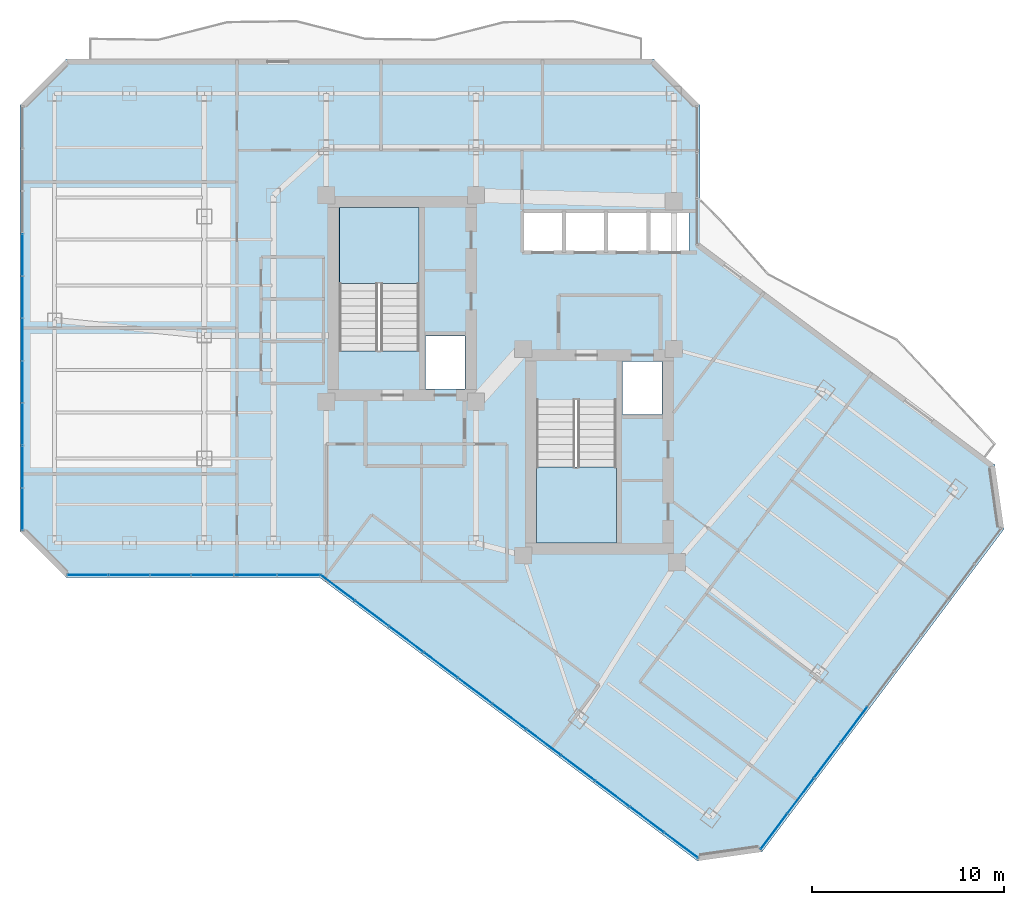
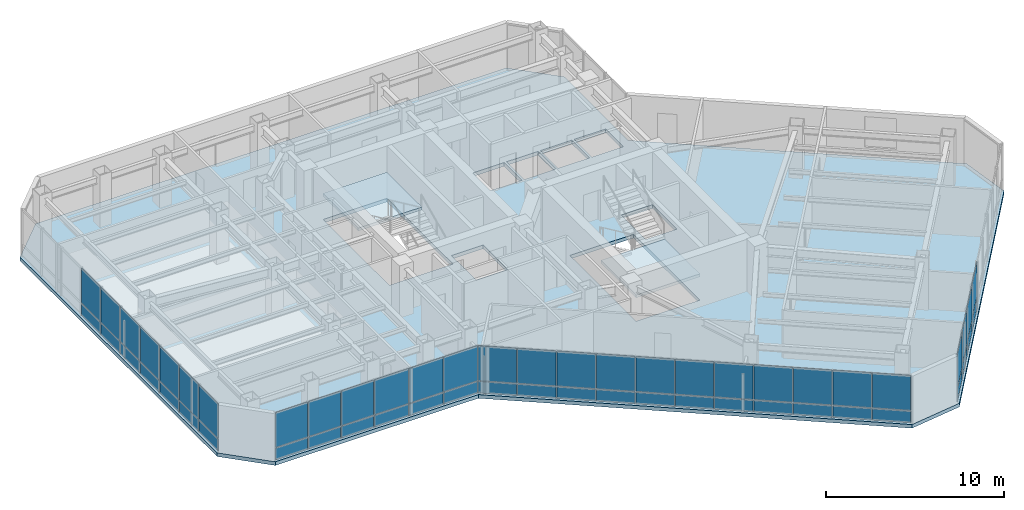
# One storey, part 23 of 29: 56 plates, 3 slabs, 7 elements without a shape of their own.
"""IFC4 building model written with IfcOpenShell, lengths in metres."""

import ifcopenshell
import ifcopenshell.guid

model = None  # the IFC model being written
_history = None  # IfcOwnerHistory: only IFC2X3 demands one
_inside = {}  # id of a spatial element -> (the spatial element, [elements in it])
_under = {}  # id of a project, library or spatial element -> (it, [spatial elements below it])
_declared = {}  # id of a project -> (the project, [libraries it declares])
_typed = {}  # id of a type object -> (the type object, [elements of that type])
_made_of = {}  # id of a material, layer set ... -> (it, [elements and type objects made of it])


def new_model(schema):
    """Start an empty IFC model of exactly this schema.

    Asked for "IFC4X3", IfcOpenShell would pick the latest addendum, in which some entities
    have other attributes; the version numbers below select the first issue.
    IFC2X3 requires an IfcOwnerHistory on every rooted entity: one is made here for all.
    """
    global model, _history
    if schema == "IFC4X3":
        model = ifcopenshell.file(schema_version=(4, 3, 0, 0))
    else:
        model = ifcopenshell.file(schema=schema)
    _inside.clear()
    _under.clear()
    _declared.clear()
    _typed.clear()
    _made_of.clear()
    _history = None
    if model.schema == "IFC2X3":
        org = make("IfcOrganization", Name="unknown")
        user = make(
            "IfcPersonAndOrganization",
            ThePerson=make("IfcPerson", FamilyName="unknown"),
            TheOrganization=org,
        )
        app = make(
            "IfcApplication",
            ApplicationDeveloper=org,
            Version="unknown",
            ApplicationFullName="unknown",
            ApplicationIdentifier="unknown",
        )
        _history = make(
            "IfcOwnerHistory",
            OwningUser=user,
            OwningApplication=app,
            ChangeAction="ADDED",
            CreationDate=0,
        )
    return model


def make(cls, **values):
    """One entity of the class cls with the attributes given. An attribute that is None is left unset."""
    return model.create_entity(
        cls, **{name: value for name, value in values.items() if value is not None}
    )


def rooted(cls, **values):
    """An entity with a GlobalId (a new one), such as an element, a storey or a relation."""
    return make(cls, GlobalId=ifcopenshell.guid.new(), OwnerHistory=_history, **values)


def si_unit(unit_type, name, prefix=None):
    """IfcSIUnit, for example si_unit("LENGTHUNIT", "METRE", prefix="MILLI")."""
    return make("IfcSIUnit", UnitType=unit_type, Prefix=prefix, Name=name)


def assignment(units):
    """IfcUnitAssignment: the units of a project."""
    return None if units is None else make("IfcUnitAssignment", Units=units)


def point(xyz):
    """IfcCartesianPoint."""
    return None if xyz is None else make("IfcCartesianPoint", Coordinates=xyz)


def direction(xyz):
    """IfcDirection."""
    return None if xyz is None else make("IfcDirection", DirectionRatios=xyz)


def frame(location, z_axis=None, x_axis=None):
    """IfcAxis2Placement3D, a coordinate frame: its origin and axes. An axis left out is left unset."""
    return make(
        "IfcAxis2Placement3D",
        Location=point(location),
        Axis=direction(z_axis),
        RefDirection=direction(x_axis),
    )


def frame_2d(location, x_axis=None):
    """IfcAxis2Placement2D, a coordinate frame in the plane: its origin and x axis."""
    return make(
        "IfcAxis2Placement2D", Location=point(location), RefDirection=direction(x_axis)
    )


def origin():
    """The frame at (0, 0, 0) with its axes left unset."""
    return frame((0.0, 0.0, 0.0))


def origin_2d():
    """The frame at (0, 0) in the plane with its x axis left unset."""
    return frame_2d((0.0, 0.0))


def place(relative_to, where):
    """IfcLocalPlacement: puts the frame where relative to a parent placement (None: the world)."""
    return make(
        "IfcLocalPlacement", PlacementRelTo=relative_to, RelativePlacement=where
    )


def context(
    kind, dimensions, precision=None, world=None, true_north=None, identifier=None
):
    """IfcGeometricRepresentationContext, for example the 3D "Model" context."""
    return make(
        "IfcGeometricRepresentationContext",
        ContextIdentifier=identifier,
        ContextType=kind,
        CoordinateSpaceDimension=dimensions,
        Precision=precision,
        WorldCoordinateSystem=world,
        TrueNorth=true_north,
    )


def subcontext(parent, identifier, kind, view, scale=None):
    """IfcGeometricRepresentationSubContext, for example "Body" below "Model"."""
    return make(
        "IfcGeometricRepresentationSubContext",
        ContextIdentifier=identifier,
        ContextType=kind,
        ParentContext=parent,
        TargetScale=scale,
        TargetView=view,
    )


def project(units=None, contexts=None):
    """IfcProject with its units and contexts."""
    return rooted(
        "IfcProject",
        Name="project",
        RepresentationContexts=contexts,
        UnitsInContext=assignment(units),
    )


def spatial(cls, under=None, at=None, **own):
    """A site, building, storey or space (cls), placed at a placement, below another one or the project."""
    s = rooted(cls, ObjectPlacement=at, **own)
    if under is not None:
        _under.setdefault(under.id(), (under, []))[1].append(s)
    return s


def polyline(points):
    """IfcPolyline through the points."""
    return make("IfcPolyline", Points=[point(p) for p in points])


def profile(cls, at=None, kind="AREA", **sizes):
    """A parametric profile (cls). Its sizes go by their IFC names, for example OverallWidth=200.0."""
    return make(cls, ProfileType=kind, Position=at, **sizes)


def rectangle(**sizes):
    """IfcRectangleProfileDef."""
    return profile("IfcRectangleProfileDef", **sizes)


def outline(outer, holes=None, kind="AREA"):
    """IfcArbitraryClosedProfileDef: a profile drawn as a closed curve; with holes, ...WithVoids."""
    if holes is None:
        return make("IfcArbitraryClosedProfileDef", ProfileType=kind, OuterCurve=outer)
    return make(
        "IfcArbitraryProfileDefWithVoids",
        ProfileType=kind,
        OuterCurve=outer,
        InnerCurves=holes,
    )


def extrude(swept, where, along, depth):
    """IfcExtrudedAreaSolid: the profile swept, set in the frame where, extruded along a direction by depth."""
    return make(
        "IfcExtrudedAreaSolid",
        SweptArea=swept,
        Position=where,
        ExtrudedDirection=direction(along),
        Depth=depth,
    )


def shape(context_of_items, identifier, shape_type, items):
    """IfcShapeRepresentation: the items that make up one representation, for example the "Body"."""
    return make(
        "IfcShapeRepresentation",
        ContextOfItems=context_of_items,
        RepresentationIdentifier=identifier,
        RepresentationType=shape_type,
        Items=items,
    )


def material(Name=None, Category=None):
    """IfcMaterial."""
    return make("IfcMaterial", Name=Name, Category=Category)


def layer(
    of_material, thickness, ventilated=None, Name=None, Category=None, Priority=None
):
    """IfcMaterialLayer: one layer of a wall or slab, of a material (None: an air gap)."""
    return make(
        "IfcMaterialLayer",
        Material=of_material,
        LayerThickness=thickness,
        IsVentilated=ventilated,
        Name=Name,
        Category=Category,
        Priority=Priority,
    )


def layer_set(layers, Name=None):
    """IfcMaterialLayerSet."""
    return make("IfcMaterialLayerSet", MaterialLayers=layers, LayerSetName=Name)


def made_of(thing, what):
    """Note that an element or type object is made of a material, layer set ...; save() writes the relation."""
    if what is not None:
        _made_of.setdefault(what.id(), (what, []))[1].append(thing)
    return thing


def type_object(cls, material=None, **own):
    """A type object (cls), such as IfcWallType, which elements share."""
    return made_of(rooted(cls, **own), material)


def element(
    cls,
    number,
    at=None,
    inside=None,
    cuts=None,
    type_object=None,
    material=None,
    context=None,
    identifier="Body",
    shape_type=None,
    held_by="IfcProductDefinitionShape",
    body=None,
    shapes=None,
    **own,
):
    """One element of the class cls, such as IfcWall. Its Tag is "e" and its number.

    at: its placement. inside: the storey or other place that contains it. cuts: it is an
    opening in that element (IfcRelVoidsElement). A single representation is given by context,
    identifier, shape_type and body (its items); several are given by shapes. held_by: the class
    of the entity that holds the representations. save() writes the other relations.
    """
    e = rooted(cls, Tag="e%d" % number, ObjectPlacement=at, **own)
    if body is not None:
        shapes = [shape(context, identifier, shape_type, body)]
    if shapes is not None:
        e.Representation = make(held_by, Representations=shapes)
    if inside is not None:
        _inside.setdefault(inside.id(), (inside, []))[1].append(e)
    if cuts is not None:
        rooted(
            "IfcRelVoidsElement", RelatingBuildingElement=cuts, RelatedOpeningElement=e
        )
    if type_object is not None:
        _typed.setdefault(type_object.id(), (type_object, []))[1].append(e)
    return made_of(e, material)


def aggregate(whole, parts):
    """IfcRelAggregates: a whole, such as a stair, and the parts it consists of."""
    return rooted("IfcRelAggregates", RelatingObject=whole, RelatedObjects=parts)


def save(model, path):
    """Write the relations noted so far, then the file.

    IfcRelAggregates (storeys below a building ...), IfcRelContainedInSpatialStructure (elements
    in a storey), IfcRelDefinesByType, IfcRelAssociatesMaterial and IfcRelDeclares: one each for
    every whole, place, type object, material and project.
    """
    for whole, parts in _under.values():
        aggregate(whole, parts)
    for where, things in _inside.values():
        rooted(
            "IfcRelContainedInSpatialStructure",
            RelatedElements=things,
            RelatingStructure=where,
        )
    for kind, things in _typed.values():
        rooted("IfcRelDefinesByType", RelatedObjects=things, RelatingType=kind)
    for what, things in _made_of.values():
        rooted("IfcRelAssociatesMaterial", RelatedObjects=things, RelatingMaterial=what)
    for by, libraries in _declared.values():
        rooted("IfcRelDeclares", RelatingContext=by, RelatedDefinitions=libraries)
    model.write(path)


model = new_model("IFC4")

# Units and contexts
model_context = context("Model", 3, precision=1e-05, world=origin(), true_north=direction((0.0, 1.0)))
body_context = subcontext(model_context, "Body", "Model", "MODEL_VIEW")
ifc_project = project(units=[si_unit("LENGTHUNIT", "METRE"), si_unit("AREAUNIT", "SQUARE_METRE"), si_unit("VOLUMEUNIT", "CUBIC_METRE"), si_unit("PLANEANGLEUNIT", "RADIAN"), si_unit("MASSUNIT", "GRAM", prefix="KILO")], contexts=[model_context])

# Site, building, storey
site_placement = place(None, origin())
site = spatial("IfcSite", under=ifc_project, at=site_placement, CompositionType="ELEMENT")
building_placement = place(site_placement, origin())
building = spatial("IfcBuilding", under=site, at=building_placement, Name="Hatsunagi Terrace Concourse", CompositionType="ELEMENT")
storey_placement = place(building_placement, frame((0.0, 0.0, 178.050048828125)))
storey = spatial("IfcBuildingStorey", under=building, at=storey_placement, Name="L47", CompositionType="ELEMENT", Elevation=178.050048828125)

# Curtain wall, plates
ifc_material_1 = material(Name="Anodised Aluminium Alloy 6063-T5", Category="aluminium")
ifc_layer_1 = layer(ifc_material_1, 0.199951171875)
ifc_layer_set_1 = layer_set([ifc_layer_1], Name="OfficeZone1_CW03")
curtain_wall_type = type_object("IfcCurtainWallType", Name="OfficeZone1_CW03", PredefinedType="NOTDEFINED", material=ifc_layer_set_1)
curtain_wall_1_placement = place(storey_placement, origin())
curtain_wall_1 = element("IfcCurtainWall", 1, at=curtain_wall_1_placement, inside=storey, type_object=curtain_wall_type, Name="Unitised Curtain Wall CW-03 CW-L47-03", PredefinedType="NOTDEFINED")
ifc_material_2 = material(Name="Warm Terracotta Ceramic Spandrel Panel", Category="masonry")
ifc_layer_2 = layer(ifc_material_2, 0.031982421875)
ifc_layer_set_2 = layer_set([ifc_layer_2], Name="CurtainWallSpandrelPanel_32")
plate_type_1 = type_object("IfcPlateType", Name="CurtainWallSpandrelPanel_32", PredefinedType="SHEET", material=ifc_layer_set_2)
plate_1_placement = place(storey_placement, frame((53.035888671875, 15.748046875, 0.030029296875), z_axis=(0.0, 0.0, 1.0), x_axis=(-0.599969314634, -0.800023013105, 0.0)))
plate_1 = element("IfcPlate", 2, at=plate_1_placement, type_object=plate_type_1, Name="Terracotta Spandrel Panel SPN-01", PredefinedType="SHEET", context=body_context, shape_type="SweptSolid", body=[
    extrude(rectangle(XDim=2.264892578125, YDim=0.031982421875, at=origin_2d()), origin(), (0.0, 0.0, 1.0), 0.7900390625),
])
plate_2_placement = place(storey_placement, frame((51.64404296875, 13.89111328125, 0.030029296875), z_axis=(0.0, 0.0, 1.0), x_axis=(-0.599969314634, -0.800023013105, 0.0)))
plate_2 = element("IfcPlate", 3, at=plate_2_placement, type_object=plate_type_1, Name="Terracotta Spandrel Panel SPN-01", PredefinedType="SHEET", context=body_context, shape_type="SweptSolid", body=[
    extrude(rectangle(XDim=2.264892578125, YDim=0.031982421875, at=origin_2d()), origin(), (0.0, 0.0, 1.0), 0.7900390625),
])
plate_3_placement = place(storey_placement, frame((50.2509765625, 12.034912109375, 0.030029296875), z_axis=(0.0, 0.0, 1.0), x_axis=(-0.599969314634, -0.800023013105, 0.0)))
plate_3 = element("IfcPlate", 4, at=plate_3_placement, type_object=plate_type_1, Name="Terracotta Spandrel Panel SPN-01", PredefinedType="SHEET", context=body_context, shape_type="SweptSolid", body=[
    extrude(rectangle(XDim=2.264892578125, YDim=0.031982421875, at=origin_2d()), origin(), (0.0, 0.0, 1.0), 0.7900390625),
])
plate_4_placement = place(storey_placement, frame((48.85888671875, 10.177978515625, 0.030029296875), z_axis=(0.0, 0.0, 1.0), x_axis=(-0.599969314634, -0.800023013105, 0.0)))
plate_4 = element("IfcPlate", 5, at=plate_4_placement, type_object=plate_type_1, Name="Terracotta Spandrel Panel SPN-01", PredefinedType="SHEET", context=body_context, shape_type="SweptSolid", body=[
    extrude(rectangle(XDim=2.264892578125, YDim=0.031982421875, at=origin_2d()), origin(), (0.0, 0.0, 1.0), 0.7900390625),
])

curtain_wall_2_placement = place(storey_placement, origin())
curtain_wall_2 = element("IfcCurtainWall", 6, at=curtain_wall_2_placement, inside=storey, type_object=curtain_wall_type, Name="Unitised Curtain Wall CW-03 CW-L47-05", PredefinedType="NOTDEFINED")
plate_5_placement = place(storey_placement, frame((44.02392578125, 9.4580078125, 0.030029296875), z_axis=(0.0, 0.0, 1.0), x_axis=(-0.800005211305, 0.599993051531, 0.0)))
plate_5 = element("IfcPlate", 7, at=plate_5_placement, type_object=plate_type_1, Name="Terracotta Spandrel Panel SPN-01", PredefinedType="SHEET", context=body_context, shape_type="SweptSolid", body=[
    extrude(rectangle(XDim=2.179931640625, YDim=0.031982421875, at=origin_2d()), origin(), (0.0, 0.0, 1.0), 0.7900390625),
])
plate_6_placement = place(storey_placement, frame((42.236083984375, 10.799072265625, 0.030029296875), z_axis=(0.0, 0.0, 1.0), x_axis=(-0.800005211305, 0.599993051531, 0.0)))
plate_6 = element("IfcPlate", 8, at=plate_6_placement, type_object=plate_type_1, Name="Terracotta Spandrel Panel SPN-01", PredefinedType="SHEET", context=body_context, shape_type="SweptSolid", body=[
    extrude(rectangle(XDim=2.179931640625, YDim=0.031982421875, at=origin_2d()), origin(), (0.0, 0.0, 1.0), 0.7900390625),
])
plate_7_placement = place(storey_placement, frame((40.447021484375, 12.139892578125, 0.030029296875), z_axis=(0.0, 0.0, 1.0), x_axis=(-0.800005211305, 0.599993051531, 0.0)))
plate_7 = element("IfcPlate", 9, at=plate_7_placement, type_object=plate_type_1, Name="Terracotta Spandrel Panel SPN-01", PredefinedType="SHEET", context=body_context, shape_type="SweptSolid", body=[
    extrude(rectangle(XDim=2.179931640625, YDim=0.031982421875, at=origin_2d()), origin(), (0.0, 0.0, 1.0), 0.7900390625),
])
plate_8_placement = place(storey_placement, frame((38.658935546875, 13.48095703125, 0.030029296875), z_axis=(0.0, 0.0, 1.0), x_axis=(-0.800005211305, 0.599993051531, 0.0)))
plate_8 = element("IfcPlate", 10, at=plate_8_placement, type_object=plate_type_1, Name="Terracotta Spandrel Panel SPN-01", PredefinedType="SHEET", context=body_context, shape_type="SweptSolid", body=[
    extrude(rectangle(XDim=2.179931640625, YDim=0.031982421875, at=origin_2d()), origin(), (0.0, 0.0, 1.0), 0.7900390625),
])
plate_9_placement = place(storey_placement, frame((36.87109375, 14.822021484375, 0.030029296875), z_axis=(0.0, 0.0, 1.0), x_axis=(-0.800005211305, 0.599993051531, 0.0)))
plate_9 = element("IfcPlate", 11, at=plate_9_placement, type_object=plate_type_1, Name="Terracotta Spandrel Panel SPN-01", PredefinedType="SHEET", context=body_context, shape_type="SweptSolid", body=[
    extrude(rectangle(XDim=2.179931640625, YDim=0.031982421875, at=origin_2d()), origin(), (0.0, 0.0, 1.0), 0.7900390625),
])
plate_10_placement = place(storey_placement, frame((35.08203125, 16.1630859375, 0.030029296875), z_axis=(0.0, 0.0, 1.0), x_axis=(-0.800005211305, 0.599993051531, 0.0)))
plate_10 = element("IfcPlate", 12, at=plate_10_placement, type_object=plate_type_1, Name="Terracotta Spandrel Panel SPN-01", PredefinedType="SHEET", context=body_context, shape_type="SweptSolid", body=[
    extrude(rectangle(XDim=2.179931640625, YDim=0.031982421875, at=origin_2d()), origin(), (0.0, 0.0, 1.0), 0.7900390625),
])
plate_11_placement = place(storey_placement, frame((33.2939453125, 17.5048828125, 0.030029296875), z_axis=(0.0, 0.0, 1.0), x_axis=(-0.800005211305, 0.599993051531, 0.0)))
plate_11 = element("IfcPlate", 13, at=plate_11_placement, type_object=plate_type_1, Name="Terracotta Spandrel Panel SPN-01", PredefinedType="SHEET", context=body_context, shape_type="SweptSolid", body=[
    extrude(rectangle(XDim=2.179931640625, YDim=0.031982421875, at=origin_2d()), origin(), (0.0, 0.0, 1.0), 0.7900390625),
])
plate_12_placement = place(storey_placement, frame((31.506103515625, 18.845947265625, 0.030029296875), z_axis=(0.0, 0.0, 1.0), x_axis=(-0.800005211305, 0.599993051531, 0.0)))
plate_12 = element("IfcPlate", 14, at=plate_12_placement, type_object=plate_type_1, Name="Terracotta Spandrel Panel SPN-01", PredefinedType="SHEET", context=body_context, shape_type="SweptSolid", body=[
    extrude(rectangle(XDim=2.179931640625, YDim=0.031982421875, at=origin_2d()), origin(), (0.0, 0.0, 1.0), 0.7900390625),
])
plate_13_placement = place(storey_placement, frame((29.718017578125, 20.18701171875, 0.030029296875), z_axis=(0.0, 0.0, 1.0), x_axis=(-0.800005211305, 0.599993051531, 0.0)))
plate_13 = element("IfcPlate", 15, at=plate_13_placement, type_object=plate_type_1, Name="Terracotta Spandrel Panel SPN-01", PredefinedType="SHEET", context=body_context, shape_type="SweptSolid", body=[
    extrude(rectangle(XDim=2.179931640625, YDim=0.031982421875, at=origin_2d()), origin(), (0.0, 0.0, 1.0), 0.7900390625),
])
plate_14_placement = place(storey_placement, frame((27.928955078125, 21.528076171875, 0.030029296875), z_axis=(0.0, 0.0, 1.0), x_axis=(-0.800005211305, 0.599993051531, 0.0)))
plate_14 = element("IfcPlate", 16, at=plate_14_placement, type_object=plate_type_1, Name="Terracotta Spandrel Panel SPN-01", PredefinedType="SHEET", context=body_context, shape_type="SweptSolid", body=[
    extrude(rectangle(XDim=2.179931640625, YDim=0.031982421875, at=origin_2d()), origin(), (0.0, 0.0, 1.0), 0.7900390625),
])
plate_15_placement = place(storey_placement, frame((26.14111328125, 22.868896484375, 0.030029296875), z_axis=(0.0, 0.0, 1.0), x_axis=(-0.800005211305, 0.599993051531, 0.0)))
plate_15 = element("IfcPlate", 17, at=plate_15_placement, type_object=plate_type_1, Name="Terracotta Spandrel Panel SPN-01", PredefinedType="SHEET", context=body_context, shape_type="SweptSolid", body=[
    extrude(rectangle(XDim=2.179931640625, YDim=0.031982421875, at=origin_2d()), origin(), (0.0, 0.0, 1.0), 0.7900390625),
])

curtain_wall_3_placement = place(storey_placement, origin())
curtain_wall_3 = element("IfcCurtainWall", 18, at=curtain_wall_3_placement, inside=storey, type_object=curtain_wall_type, Name="Unitised Curtain Wall CW-03 CW-L47-06", PredefinedType="NOTDEFINED")
plate_16_placement = place(storey_placement, frame((24.1220703125, 23.5400390625, 0.030029296875), z_axis=(0.0, 0.0, 1.0), x_axis=(-1.0, 0.0, 0.0)))
plate_16 = element("IfcPlate", 19, at=plate_16_placement, type_object=plate_type_1, Name="Terracotta Spandrel Panel SPN-01", PredefinedType="SHEET", context=body_context, shape_type="SweptSolid", body=[
    extrude(rectangle(XDim=2.194091796875, YDim=0.031982421875, at=origin_2d()), origin(), (0.0, 0.0, 1.0), 0.7900390625),
])
plate_17_placement = place(storey_placement, frame((21.873046875, 23.5400390625, 0.030029296875), z_axis=(0.0, 0.0, 1.0), x_axis=(-1.0, 0.0, 0.0)))
plate_17 = element("IfcPlate", 20, at=plate_17_placement, type_object=plate_type_1, Name="Terracotta Spandrel Panel SPN-01", PredefinedType="SHEET", context=body_context, shape_type="SweptSolid", body=[
    extrude(rectangle(XDim=2.194091796875, YDim=0.031982421875, at=origin_2d()), origin(), (0.0, 0.0, 1.0), 0.7900390625),
])
plate_18_placement = place(storey_placement, frame((19.6240234375, 23.5400390625, 0.030029296875), z_axis=(0.0, 0.0, 1.0), x_axis=(-1.0, 0.0, 0.0)))
plate_18 = element("IfcPlate", 21, at=plate_18_placement, type_object=plate_type_1, Name="Terracotta Spandrel Panel SPN-01", PredefinedType="SHEET", context=body_context, shape_type="SweptSolid", body=[
    extrude(rectangle(XDim=2.194091796875, YDim=0.031982421875, at=origin_2d()), origin(), (0.0, 0.0, 1.0), 0.7900390625),
])

curtain_wall_4_placement = place(storey_placement, origin())
curtain_wall_4 = element("IfcCurtainWall", 22, at=curtain_wall_4_placement, inside=storey, type_object=curtain_wall_type, Name="Unitised Curtain Wall CW-03 CW-L47-07", PredefinedType="NOTDEFINED")
plate_19_placement = place(storey_placement, frame((17.426025390625, 23.5400390625, 0.030029296875), z_axis=(0.0, 0.0, 1.0), x_axis=(-1.0, 0.0, 0.0)))
plate_19 = element("IfcPlate", 23, at=plate_19_placement, type_object=plate_type_1, Name="Terracotta Spandrel Panel SPN-01", PredefinedType="SHEET", context=body_context, shape_type="SweptSolid", body=[
    extrude(rectangle(XDim=2.092041015625, YDim=0.031982421875, at=origin_2d()), origin(), (0.0, 0.0, 1.0), 0.7900390625),
])
plate_20_placement = place(storey_placement, frame((15.279052734375, 23.5400390625, 0.030029296875), z_axis=(0.0, 0.0, 1.0), x_axis=(-1.0, 0.0, 0.0)))
plate_20 = element("IfcPlate", 24, at=plate_20_placement, type_object=plate_type_1, Name="Terracotta Spandrel Panel SPN-01", PredefinedType="SHEET", context=body_context, shape_type="SweptSolid", body=[
    extrude(rectangle(XDim=2.092041015625, YDim=0.031982421875, at=origin_2d()), origin(), (0.0, 0.0, 1.0), 0.7900390625),
])
plate_21_placement = place(storey_placement, frame((13.132080078125, 23.5400390625, 0.030029296875), z_axis=(0.0, 0.0, 1.0), x_axis=(-1.0, 0.0, 0.0)))
plate_21 = element("IfcPlate", 25, at=plate_21_placement, type_object=plate_type_1, Name="Terracotta Spandrel Panel SPN-01", PredefinedType="SHEET", context=body_context, shape_type="SweptSolid", body=[
    extrude(rectangle(XDim=2.092041015625, YDim=0.031982421875, at=origin_2d()), origin(), (0.0, 0.0, 1.0), 0.7900390625),
])

curtain_wall_5_placement = place(storey_placement, origin())
curtain_wall_5 = element("IfcCurtainWall", 26, at=curtain_wall_5_placement, inside=storey, type_object=curtain_wall_type, Name="Unitised Curtain Wall CW-03 CW-L47-09", PredefinedType="NOTDEFINED")
plate_22_placement = place(storey_placement, frame((9.739990234375, 26.9619140625, 0.030029296875), z_axis=(0.0, 0.0, 1.0), x_axis=(0.0, 1.0, 0.0)))
plate_22 = element("IfcPlate", 27, at=plate_22_placement, type_object=plate_type_1, Name="Terracotta Spandrel Panel SPN-01", PredefinedType="SHEET", context=body_context, shape_type="SweptSolid", body=[
    extrude(rectangle(XDim=2.153076171875, YDim=0.031982421875, at=origin_2d()), origin(), (0.0, 0.0, 1.0), 0.7900390625),
])
plate_23_placement = place(storey_placement, frame((9.739990234375, 29.1708984375, 0.030029296875), z_axis=(0.0, 0.0, 1.0), x_axis=(0.0, 1.0, 0.0)))
plate_23 = element("IfcPlate", 28, at=plate_23_placement, type_object=plate_type_1, Name="Terracotta Spandrel Panel SPN-01", PredefinedType="SHEET", context=body_context, shape_type="SweptSolid", body=[
    extrude(rectangle(XDim=2.153076171875, YDim=0.031982421875, at=origin_2d()), origin(), (0.0, 0.0, 1.0), 0.7900390625),
])
plate_24_placement = place(storey_placement, frame((9.739990234375, 31.37890625, 0.030029296875), z_axis=(0.0, 0.0, 1.0), x_axis=(0.0, 1.0, 0.0)))
plate_24 = element("IfcPlate", 29, at=plate_24_placement, type_object=plate_type_1, Name="Terracotta Spandrel Panel SPN-01", PredefinedType="SHEET", context=body_context, shape_type="SweptSolid", body=[
    extrude(rectangle(XDim=2.153076171875, YDim=0.031982421875, at=origin_2d()), origin(), (0.0, 0.0, 1.0), 0.7900390625),
])
plate_25_placement = place(storey_placement, frame((9.739990234375, 33.5869140625, 0.030029296875), z_axis=(0.0, 0.0, 1.0), x_axis=(0.0, 1.0, 0.0)))
plate_25 = element("IfcPlate", 30, at=plate_25_placement, type_object=plate_type_1, Name="Terracotta Spandrel Panel SPN-01", PredefinedType="SHEET", context=body_context, shape_type="SweptSolid", body=[
    extrude(rectangle(XDim=2.153076171875, YDim=0.031982421875, at=origin_2d()), origin(), (0.0, 0.0, 1.0), 0.7900390625),
])
plate_26_placement = place(storey_placement, frame((9.739990234375, 35.7958984375, 0.030029296875), z_axis=(0.0, 0.0, 1.0), x_axis=(0.0, 1.0, 0.0)))
plate_26 = element("IfcPlate", 31, at=plate_26_placement, type_object=plate_type_1, Name="Terracotta Spandrel Panel SPN-01", PredefinedType="SHEET", context=body_context, shape_type="SweptSolid", body=[
    extrude(rectangle(XDim=2.153076171875, YDim=0.031982421875, at=origin_2d()), origin(), (0.0, 0.0, 1.0), 0.7900390625),
])
plate_27_placement = place(storey_placement, frame((9.739990234375, 38.00390625, 0.030029296875), z_axis=(0.0, 0.0, 1.0), x_axis=(0.0, 1.0, 0.0)))
plate_27 = element("IfcPlate", 32, at=plate_27_placement, type_object=plate_type_1, Name="Terracotta Spandrel Panel SPN-01", PredefinedType="SHEET", context=body_context, shape_type="SweptSolid", body=[
    extrude(rectangle(XDim=2.153076171875, YDim=0.031982421875, at=origin_2d()), origin(), (0.0, 0.0, 1.0), 0.7900390625),
])
plate_28_placement = place(storey_placement, frame((9.739990234375, 40.212890625, 0.030029296875), z_axis=(0.0, 0.0, 1.0), x_axis=(0.0, 1.0, 0.0)))
plate_28 = element("IfcPlate", 33, at=plate_28_placement, type_object=plate_type_1, Name="Terracotta Spandrel Panel SPN-01", PredefinedType="SHEET", context=body_context, shape_type="SweptSolid", body=[
    extrude(rectangle(XDim=2.153076171875, YDim=0.031982421875, at=origin_2d()), origin(), (0.0, 0.0, 1.0), 0.7900390625),
])

# Plate
ifc_material_3 = material(Name="Low-E Double Insulating Glass 28mm", Category="glass")
ifc_layer_3 = layer(ifc_material_3, 0.028076171875)
ifc_layer_set_3 = layer_set([ifc_layer_3], Name="CurtainWallVisionGlass_28")
plate_type_2 = type_object("IfcPlateType", Name="CurtainWallVisionGlass_28", PredefinedType="CURTAIN_PANEL", material=ifc_layer_set_3)
plate_29_placement = place(storey_placement, frame((53.035888671875, 15.748046875, 0.8798828125), z_axis=(0.0, 0.0, 1.0), x_axis=(-0.599969314634, -0.800023013105, 0.0)))
plate_29 = element("IfcPlate", 34, at=plate_29_placement, type_object=plate_type_2, Name="Low-E Vision Glass Panel GLZ-01", PredefinedType="CURTAIN_PANEL", context=body_context, shape_type="SweptSolid", body=[
    extrude(rectangle(XDim=2.264892578125, YDim=0.028076171875, at=origin_2d()), origin(), (0.0, 0.0, 1.0), 2.389892578125),
])

plate_30_placement = place(storey_placement, frame((51.64404296875, 13.89111328125, 0.8798828125), z_axis=(0.0, 0.0, 1.0), x_axis=(-0.599969314634, -0.800023013105, 0.0)))
plate_30 = element("IfcPlate", 35, at=plate_30_placement, type_object=plate_type_2, Name="Low-E Vision Glass Panel GLZ-01", PredefinedType="CURTAIN_PANEL", context=body_context, shape_type="SweptSolid", body=[
    extrude(rectangle(XDim=2.264892578125, YDim=0.028076171875, at=origin_2d()), origin(), (0.0, 0.0, 1.0), 2.389892578125),
])

plate_31_placement = place(storey_placement, frame((50.2509765625, 12.034912109375, 0.8798828125), z_axis=(0.0, 0.0, 1.0), x_axis=(-0.599969314634, -0.800023013105, 0.0)))
plate_31 = element("IfcPlate", 36, at=plate_31_placement, type_object=plate_type_2, Name="Low-E Vision Glass Panel GLZ-01", PredefinedType="CURTAIN_PANEL", context=body_context, shape_type="SweptSolid", body=[
    extrude(rectangle(XDim=2.264892578125, YDim=0.028076171875, at=origin_2d()), origin(), (0.0, 0.0, 1.0), 2.389892578125),
])

plate_32_placement = place(storey_placement, frame((48.85888671875, 10.177978515625, 0.8798828125), z_axis=(0.0, 0.0, 1.0), x_axis=(-0.599969314634, -0.800023013105, 0.0)))
plate_32 = element("IfcPlate", 37, at=plate_32_placement, type_object=plate_type_2, Name="Low-E Vision Glass Panel GLZ-01", PredefinedType="CURTAIN_PANEL", context=body_context, shape_type="SweptSolid", body=[
    extrude(rectangle(XDim=2.264892578125, YDim=0.028076171875, at=origin_2d()), origin(), (0.0, 0.0, 1.0), 2.389892578125),
])

aggregate(curtain_wall_1, [plate_1, plate_29, plate_2, plate_30, plate_3, plate_31, plate_4, plate_32])

plate_33_placement = place(storey_placement, frame((44.02392578125, 9.4580078125, 0.8798828125), z_axis=(0.0, 0.0, 1.0), x_axis=(-0.800005211305, 0.599993051531, 0.0)))
plate_33 = element("IfcPlate", 38, at=plate_33_placement, type_object=plate_type_2, Name="Low-E Vision Glass Panel GLZ-01", PredefinedType="CURTAIN_PANEL", context=body_context, shape_type="SweptSolid", body=[
    extrude(rectangle(XDim=2.179931640625, YDim=0.028076171875, at=origin_2d()), origin(), (0.0, 0.0, 1.0), 2.389892578125),
])

plate_34_placement = place(storey_placement, frame((42.236083984375, 10.799072265625, 0.8798828125), z_axis=(0.0, 0.0, 1.0), x_axis=(-0.800005211305, 0.599993051531, 0.0)))
plate_34 = element("IfcPlate", 39, at=plate_34_placement, type_object=plate_type_2, Name="Low-E Vision Glass Panel GLZ-01", PredefinedType="CURTAIN_PANEL", context=body_context, shape_type="SweptSolid", body=[
    extrude(rectangle(XDim=2.179931640625, YDim=0.028076171875, at=origin_2d()), origin(), (0.0, 0.0, 1.0), 2.389892578125),
])

plate_35_placement = place(storey_placement, frame((40.447021484375, 12.139892578125, 0.8798828125), z_axis=(0.0, 0.0, 1.0), x_axis=(-0.800005211305, 0.599993051531, 0.0)))
plate_35 = element("IfcPlate", 40, at=plate_35_placement, type_object=plate_type_2, Name="Low-E Vision Glass Panel GLZ-01", PredefinedType="CURTAIN_PANEL", context=body_context, shape_type="SweptSolid", body=[
    extrude(rectangle(XDim=2.179931640625, YDim=0.028076171875, at=origin_2d()), origin(), (0.0, 0.0, 1.0), 2.389892578125),
])

plate_36_placement = place(storey_placement, frame((38.658935546875, 13.48095703125, 0.8798828125), z_axis=(0.0, 0.0, 1.0), x_axis=(-0.800005211305, 0.599993051531, 0.0)))
plate_36 = element("IfcPlate", 41, at=plate_36_placement, type_object=plate_type_2, Name="Low-E Vision Glass Panel GLZ-01", PredefinedType="CURTAIN_PANEL", context=body_context, shape_type="SweptSolid", body=[
    extrude(rectangle(XDim=2.179931640625, YDim=0.028076171875, at=origin_2d()), origin(), (0.0, 0.0, 1.0), 2.389892578125),
])

plate_37_placement = place(storey_placement, frame((36.87109375, 14.822021484375, 0.8798828125), z_axis=(0.0, 0.0, 1.0), x_axis=(-0.800005211305, 0.599993051531, 0.0)))
plate_37 = element("IfcPlate", 42, at=plate_37_placement, type_object=plate_type_2, Name="Low-E Vision Glass Panel GLZ-01", PredefinedType="CURTAIN_PANEL", context=body_context, shape_type="SweptSolid", body=[
    extrude(rectangle(XDim=2.179931640625, YDim=0.028076171875, at=origin_2d()), origin(), (0.0, 0.0, 1.0), 2.389892578125),
])

plate_38_placement = place(storey_placement, frame((35.08203125, 16.1630859375, 0.8798828125), z_axis=(0.0, 0.0, 1.0), x_axis=(-0.800005211305, 0.599993051531, 0.0)))
plate_38 = element("IfcPlate", 43, at=plate_38_placement, type_object=plate_type_2, Name="Low-E Vision Glass Panel GLZ-01", PredefinedType="CURTAIN_PANEL", context=body_context, shape_type="SweptSolid", body=[
    extrude(rectangle(XDim=2.179931640625, YDim=0.028076171875, at=origin_2d()), origin(), (0.0, 0.0, 1.0), 2.389892578125),
])

plate_39_placement = place(storey_placement, frame((33.2939453125, 17.5048828125, 0.8798828125), z_axis=(0.0, 0.0, 1.0), x_axis=(-0.800005211305, 0.599993051531, 0.0)))
plate_39 = element("IfcPlate", 44, at=plate_39_placement, type_object=plate_type_2, Name="Low-E Vision Glass Panel GLZ-01", PredefinedType="CURTAIN_PANEL", context=body_context, shape_type="SweptSolid", body=[
    extrude(rectangle(XDim=2.179931640625, YDim=0.028076171875, at=origin_2d()), origin(), (0.0, 0.0, 1.0), 2.389892578125),
])

plate_40_placement = place(storey_placement, frame((31.506103515625, 18.845947265625, 0.8798828125), z_axis=(0.0, 0.0, 1.0), x_axis=(-0.800005211305, 0.599993051531, 0.0)))
plate_40 = element("IfcPlate", 45, at=plate_40_placement, type_object=plate_type_2, Name="Low-E Vision Glass Panel GLZ-01", PredefinedType="CURTAIN_PANEL", context=body_context, shape_type="SweptSolid", body=[
    extrude(rectangle(XDim=2.179931640625, YDim=0.028076171875, at=origin_2d()), origin(), (0.0, 0.0, 1.0), 2.389892578125),
])

plate_41_placement = place(storey_placement, frame((29.718017578125, 20.18701171875, 0.8798828125), z_axis=(0.0, 0.0, 1.0), x_axis=(-0.800005211305, 0.599993051531, 0.0)))
plate_41 = element("IfcPlate", 46, at=plate_41_placement, type_object=plate_type_2, Name="Low-E Vision Glass Panel GLZ-01", PredefinedType="CURTAIN_PANEL", context=body_context, shape_type="SweptSolid", body=[
    extrude(rectangle(XDim=2.179931640625, YDim=0.028076171875, at=origin_2d()), origin(), (0.0, 0.0, 1.0), 2.389892578125),
])

plate_42_placement = place(storey_placement, frame((27.928955078125, 21.528076171875, 0.8798828125), z_axis=(0.0, 0.0, 1.0), x_axis=(-0.800005211305, 0.599993051531, 0.0)))
plate_42 = element("IfcPlate", 47, at=plate_42_placement, type_object=plate_type_2, Name="Low-E Vision Glass Panel GLZ-01", PredefinedType="CURTAIN_PANEL", context=body_context, shape_type="SweptSolid", body=[
    extrude(rectangle(XDim=2.179931640625, YDim=0.028076171875, at=origin_2d()), origin(), (0.0, 0.0, 1.0), 2.389892578125),
])

plate_43_placement = place(storey_placement, frame((26.14111328125, 22.868896484375, 0.8798828125), z_axis=(0.0, 0.0, 1.0), x_axis=(-0.800005211305, 0.599993051531, 0.0)))
plate_43 = element("IfcPlate", 48, at=plate_43_placement, type_object=plate_type_2, Name="Low-E Vision Glass Panel GLZ-01", PredefinedType="CURTAIN_PANEL", context=body_context, shape_type="SweptSolid", body=[
    extrude(rectangle(XDim=2.179931640625, YDim=0.028076171875, at=origin_2d()), origin(), (0.0, 0.0, 1.0), 2.389892578125),
])

aggregate(curtain_wall_2, [plate_5, plate_33, plate_6, plate_34, plate_7, plate_35, plate_8, plate_36, plate_9, plate_37, plate_10, plate_38, plate_11, plate_39, plate_12, plate_40, plate_13, plate_41, plate_14, plate_42, plate_15, plate_43])

plate_44_placement = place(storey_placement, frame((24.1220703125, 23.5400390625, 0.8798828125), z_axis=(0.0, 0.0, 1.0), x_axis=(-1.0, 0.0, 0.0)))
plate_44 = element("IfcPlate", 49, at=plate_44_placement, type_object=plate_type_2, Name="Low-E Vision Glass Panel GLZ-01", PredefinedType="CURTAIN_PANEL", context=body_context, shape_type="SweptSolid", body=[
    extrude(rectangle(XDim=2.194091796875, YDim=0.028076171875, at=origin_2d()), origin(), (0.0, 0.0, 1.0), 2.389892578125),
])

plate_45_placement = place(storey_placement, frame((21.873046875, 23.5400390625, 0.8798828125), z_axis=(0.0, 0.0, 1.0), x_axis=(-1.0, 0.0, 0.0)))
plate_45 = element("IfcPlate", 50, at=plate_45_placement, type_object=plate_type_2, Name="Low-E Vision Glass Panel GLZ-01", PredefinedType="CURTAIN_PANEL", context=body_context, shape_type="SweptSolid", body=[
    extrude(rectangle(XDim=2.194091796875, YDim=0.028076171875, at=origin_2d()), origin(), (0.0, 0.0, 1.0), 2.389892578125),
])

plate_46_placement = place(storey_placement, frame((19.6240234375, 23.5400390625, 0.8798828125), z_axis=(0.0, 0.0, 1.0), x_axis=(-1.0, 0.0, 0.0)))
plate_46 = element("IfcPlate", 51, at=plate_46_placement, type_object=plate_type_2, Name="Low-E Vision Glass Panel GLZ-01", PredefinedType="CURTAIN_PANEL", context=body_context, shape_type="SweptSolid", body=[
    extrude(rectangle(XDim=2.194091796875, YDim=0.028076171875, at=origin_2d()), origin(), (0.0, 0.0, 1.0), 2.389892578125),
])

aggregate(curtain_wall_3, [plate_16, plate_44, plate_17, plate_45, plate_18, plate_46])

plate_47_placement = place(storey_placement, frame((17.426025390625, 23.5400390625, 0.8798828125), z_axis=(0.0, 0.0, 1.0), x_axis=(-1.0, 0.0, 0.0)))
plate_47 = element("IfcPlate", 52, at=plate_47_placement, type_object=plate_type_2, Name="Low-E Vision Glass Panel GLZ-01", PredefinedType="CURTAIN_PANEL", context=body_context, shape_type="SweptSolid", body=[
    extrude(rectangle(XDim=2.092041015625, YDim=0.028076171875, at=origin_2d()), origin(), (0.0, 0.0, 1.0), 2.389892578125),
])

plate_48_placement = place(storey_placement, frame((15.279052734375, 23.5400390625, 0.8798828125), z_axis=(0.0, 0.0, 1.0), x_axis=(-1.0, 0.0, 0.0)))
plate_48 = element("IfcPlate", 53, at=plate_48_placement, type_object=plate_type_2, Name="Low-E Vision Glass Panel GLZ-01", PredefinedType="CURTAIN_PANEL", context=body_context, shape_type="SweptSolid", body=[
    extrude(rectangle(XDim=2.092041015625, YDim=0.028076171875, at=origin_2d()), origin(), (0.0, 0.0, 1.0), 2.389892578125),
])

plate_49_placement = place(storey_placement, frame((13.132080078125, 23.5400390625, 0.8798828125), z_axis=(0.0, 0.0, 1.0), x_axis=(-1.0, 0.0, 0.0)))
plate_49 = element("IfcPlate", 54, at=plate_49_placement, type_object=plate_type_2, Name="Low-E Vision Glass Panel GLZ-01", PredefinedType="CURTAIN_PANEL", context=body_context, shape_type="SweptSolid", body=[
    extrude(rectangle(XDim=2.092041015625, YDim=0.028076171875, at=origin_2d()), origin(), (0.0, 0.0, 1.0), 2.389892578125),
])

aggregate(curtain_wall_4, [plate_19, plate_47, plate_20, plate_48, plate_21, plate_49])

plate_50_placement = place(storey_placement, frame((9.739990234375, 26.9619140625, 0.8798828125), z_axis=(0.0, 0.0, 1.0), x_axis=(0.0, 1.0, 0.0)))
plate_50 = element("IfcPlate", 55, at=plate_50_placement, type_object=plate_type_2, Name="Low-E Vision Glass Panel GLZ-01", PredefinedType="CURTAIN_PANEL", context=body_context, shape_type="SweptSolid", body=[
    extrude(rectangle(XDim=2.153076171875, YDim=0.028076171875, at=origin_2d()), origin(), (0.0, 0.0, 1.0), 2.389892578125),
])

plate_51_placement = place(storey_placement, frame((9.739990234375, 29.1708984375, 0.8798828125), z_axis=(0.0, 0.0, 1.0), x_axis=(0.0, 1.0, 0.0)))
plate_51 = element("IfcPlate", 56, at=plate_51_placement, type_object=plate_type_2, Name="Low-E Vision Glass Panel GLZ-01", PredefinedType="CURTAIN_PANEL", context=body_context, shape_type="SweptSolid", body=[
    extrude(rectangle(XDim=2.153076171875, YDim=0.028076171875, at=origin_2d()), origin(), (0.0, 0.0, 1.0), 2.389892578125),
])

plate_52_placement = place(storey_placement, frame((9.739990234375, 31.37890625, 0.8798828125), z_axis=(0.0, 0.0, 1.0), x_axis=(0.0, 1.0, 0.0)))
plate_52 = element("IfcPlate", 57, at=plate_52_placement, type_object=plate_type_2, Name="Low-E Vision Glass Panel GLZ-01", PredefinedType="CURTAIN_PANEL", context=body_context, shape_type="SweptSolid", body=[
    extrude(rectangle(XDim=2.153076171875, YDim=0.028076171875, at=origin_2d()), origin(), (0.0, 0.0, 1.0), 2.389892578125),
])

plate_53_placement = place(storey_placement, frame((9.739990234375, 33.5869140625, 0.8798828125), z_axis=(0.0, 0.0, 1.0), x_axis=(0.0, 1.0, 0.0)))
plate_53 = element("IfcPlate", 58, at=plate_53_placement, type_object=plate_type_2, Name="Low-E Vision Glass Panel GLZ-01", PredefinedType="CURTAIN_PANEL", context=body_context, shape_type="SweptSolid", body=[
    extrude(rectangle(XDim=2.153076171875, YDim=0.028076171875, at=origin_2d()), origin(), (0.0, 0.0, 1.0), 2.389892578125),
])

plate_54_placement = place(storey_placement, frame((9.739990234375, 35.7958984375, 0.8798828125), z_axis=(0.0, 0.0, 1.0), x_axis=(0.0, 1.0, 0.0)))
plate_54 = element("IfcPlate", 59, at=plate_54_placement, type_object=plate_type_2, Name="Low-E Vision Glass Panel GLZ-01", PredefinedType="CURTAIN_PANEL", context=body_context, shape_type="SweptSolid", body=[
    extrude(rectangle(XDim=2.153076171875, YDim=0.028076171875, at=origin_2d()), origin(), (0.0, 0.0, 1.0), 2.389892578125),
])

plate_55_placement = place(storey_placement, frame((9.739990234375, 38.00390625, 0.8798828125), z_axis=(0.0, 0.0, 1.0), x_axis=(0.0, 1.0, 0.0)))
plate_55 = element("IfcPlate", 60, at=plate_55_placement, type_object=plate_type_2, Name="Low-E Vision Glass Panel GLZ-01", PredefinedType="CURTAIN_PANEL", context=body_context, shape_type="SweptSolid", body=[
    extrude(rectangle(XDim=2.153076171875, YDim=0.028076171875, at=origin_2d()), origin(), (0.0, 0.0, 1.0), 2.389892578125),
])

plate_56_placement = place(storey_placement, frame((9.739990234375, 40.212890625, 0.8798828125), z_axis=(0.0, 0.0, 1.0), x_axis=(0.0, 1.0, 0.0)))
plate_56 = element("IfcPlate", 61, at=plate_56_placement, type_object=plate_type_2, Name="Low-E Vision Glass Panel GLZ-01", PredefinedType="CURTAIN_PANEL", context=body_context, shape_type="SweptSolid", body=[
    extrude(rectangle(XDim=2.153076171875, YDim=0.028076171875, at=origin_2d()), origin(), (0.0, 0.0, 1.0), 2.389892578125),
])

aggregate(curtain_wall_5, [plate_22, plate_50, plate_23, plate_51, plate_24, plate_52, plate_25, plate_53, plate_26, plate_54, plate_27, plate_55, plate_28, plate_56])

# Stair, slab
ifc_material_4 = material(Name="Concrete Fc42", Category="concrete")
stair_type = type_object("IfcStairType", Name="DoglegExitStair_Tower2000_20R_180", PredefinedType="HALF_TURN_STAIR", material=ifc_material_4)
stair_1_placement = place(storey_placement, origin())
stair_1 = element("IfcStair", 62, at=stair_1_placement, inside=storey, type_object=stair_type, Name="L47 Core A Protected Exit Stair ST-A", PredefinedType="HALF_TURN_STAIR")
ifc_material_5 = material(Name="Concrete Fc42", Category="concrete")
ifc_layer_4 = layer(ifc_material_5, 0.199951171875)
ifc_layer_set_4 = layer_set([ifc_layer_4], Name="DoglegStairLanding_Tower2000")
slab_type_1 = type_object("IfcSlabType", Name="DoglegStairLanding_Tower2000", PredefinedType="LANDING", material=ifc_layer_set_4)
slab_1_placement = place(storey_placement, frame((0.0, 0.0, 1.599853515625)))
slab_1 = element("IfcSlab", 63, at=slab_1_placement, type_object=slab_type_1, Name="ST-A landing 1", PredefinedType="LANDING", context=body_context, shape_type="SweptSolid", body=[
    extrude(outline(polyline([(30.3798828125, 38.7099609375), (30.3798828125, 42.659912109375), (26.22998046875, 42.659912109375), (26.22998046875, 38.7099609375), (30.3798828125, 38.7099609375)])), origin(), (0.0, 0.0, 1.0), 0.2001953125),
])
aggregate(stair_1, [slab_1])

stair_2_placement = place(storey_placement, origin())
stair_2 = element("IfcStair", 64, at=stair_2_placement, inside=storey, type_object=stair_type, Name="L47 Core B Protected Exit Stair ST-B", PredefinedType="HALF_TURN_STAIR")
slab_2_placement = place(storey_placement, frame((0.0, 0.0, 1.599853515625)))
slab_2 = element("IfcSlab", 65, at=slab_2_placement, type_object=slab_type_1, Name="ST-B landing 1", PredefinedType="LANDING", context=body_context, shape_type="SweptSolid", body=[
    extrude(outline(polyline([(36.5, 29.14990234375), (36.5, 25.199951171875), (40.64990234375, 25.199951171875), (40.64990234375, 29.14990234375), (36.5, 29.14990234375)])), origin(), (0.0, 0.0, 1.0), 0.2001953125),
])
aggregate(stair_2, [slab_2])

# Slab
ifc_material_6 = material(Name="Concrete Fc42", Category="concrete")
ifc_layer_5 = layer(ifc_material_6, 0.25)
ifc_layer_set_5 = layer_set([ifc_layer_5], Name="OfficeCrownSlab_Fc42_250")
slab_type_2 = type_object("IfcSlabType", Name="OfficeCrownSlab_Fc42_250", PredefinedType="FLOOR", material=ifc_layer_set_5)
slab_3_placement = place(storey_placement, frame((0.0, 0.0, -0.25)))
element("IfcSlab", 66, at=slab_3_placement, inside=storey, type_object=slab_type_2, Name="Floor Slab SL-250 L47", PredefinedType="FLOOR", context=body_context, shape_type="SweptSolid", body=[
    extrude(outline(polyline([(45.0, 40.800048828125), (45.0, 48.0), (42.60009765625, 50.39990234375), (12.0, 50.39990234375), (9.60009765625, 48.0), (9.60009765625, 25.800048828125), (12.0, 23.39990234375), (25.199951171875, 23.39990234375), (44.8798828125, 8.639892578125), (48.239990234375, 9.1201171875), (60.840087890625, 25.919921875), (60.360107421875, 29.280029296875), (45.0, 40.800048828125)]), holes=[polyline([(26.22998046875, 35.205078125), (30.3798828125, 35.205078125), (30.3798828125, 42.659912109375), (26.22998046875, 42.659912109375), (26.22998046875, 35.205078125)]), polyline([(36.5, 25.199951171875), (40.64990234375, 25.199951171875), (40.64990234375, 32.655029296875), (36.5, 32.655029296875), (36.5, 25.199951171875)]), polyline([(30.719970703125, 33.219970703125), (32.780029296875, 33.219970703125), (32.780029296875, 35.97998046875), (30.719970703125, 35.97998046875), (30.719970703125, 33.219970703125)]), polyline([(40.97998046875, 31.8798828125), (43.02001953125, 31.8798828125), (43.02001953125, 34.639892578125), (40.97998046875, 34.639892578125), (40.97998046875, 31.8798828125)]), polyline([(35.800048828125, 40.39990234375), (37.85009765625, 40.39990234375), (37.85009765625, 42.39990234375), (35.800048828125, 42.39990234375), (35.800048828125, 40.39990234375)]), polyline([(38.0, 40.39990234375), (40.050048828125, 40.39990234375), (40.050048828125, 42.39990234375), (38.0, 42.39990234375), (38.0, 40.39990234375)]), polyline([(40.199951171875, 40.39990234375), (42.25, 40.39990234375), (42.25, 42.39990234375), (40.199951171875, 42.39990234375), (40.199951171875, 40.39990234375)]), polyline([(42.39990234375, 40.39990234375), (44.449951171875, 40.39990234375), (44.449951171875, 42.39990234375), (42.39990234375, 42.39990234375), (42.39990234375, 40.39990234375)])]), origin(), (0.0, 0.0, 1.0), 0.25),
])

save(model, "model.ifc")
